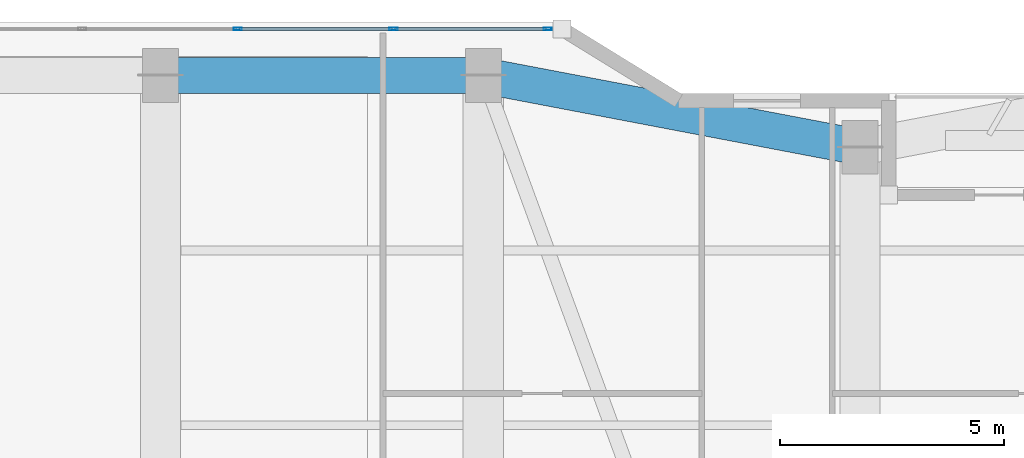
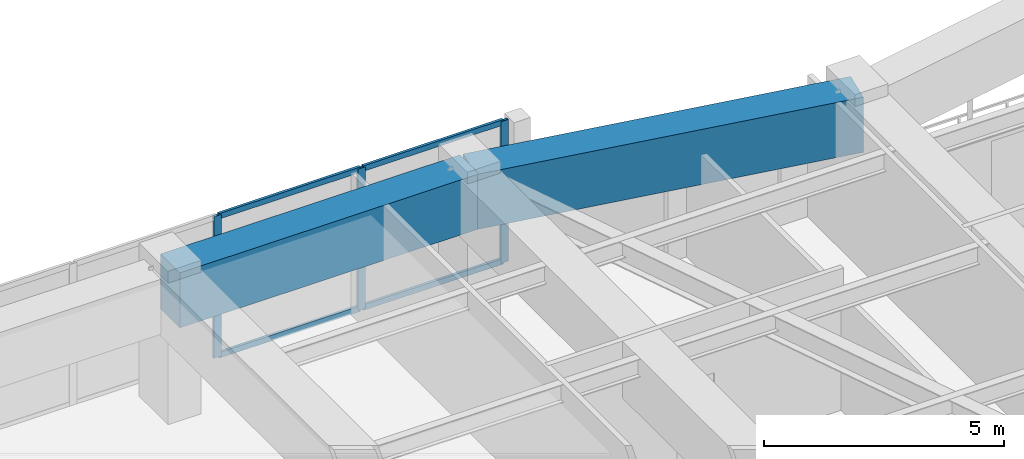
# One storey, part 14 of 25: 7 members, 2 beams, 1 element without a shape of its own.
"""IFC4 building model written with IfcOpenShell, lengths in metres."""

from ifc_helpers import new_model, si_unit, direction, frame, origin, origin_2d, place, context, subcontext, project, spatial, rectangle, hollow_rectangle, extrude, material, layer, layer_set, material_profile, profile_set, type_object, element, aggregate, save


model = new_model("IFC4")

# Units and contexts
model_context = context("Model", 3, precision=1e-05, world=origin(), true_north=direction((0.0, 1.0)))
body_context = subcontext(model_context, "Body", "Model", "MODEL_VIEW")
ifc_project = project(units=[si_unit("LENGTHUNIT", "METRE"), si_unit("AREAUNIT", "SQUARE_METRE"), si_unit("VOLUMEUNIT", "CUBIC_METRE"), si_unit("PLANEANGLEUNIT", "RADIAN"), si_unit("MASSUNIT", "GRAM", prefix="KILO")], contexts=[model_context])

# Site, building, storey
site_placement = place(None, origin())
site = spatial("IfcSite", under=ifc_project, at=site_placement, CompositionType="ELEMENT")
building_placement = place(site_placement, origin())
building = spatial("IfcBuilding", under=site, at=building_placement, Name="Kiyonajd Concourse Tower", CompositionType="ELEMENT")
storey_placement = place(building_placement, frame((0.0, 0.0, 141.60009765625)))
storey = spatial("IfcBuildingStorey", under=building, at=storey_placement, Name="L36", CompositionType="ELEMENT", Elevation=141.60009765625)

# Beams
ifc_material_1 = material(Name="Concrete C60/75", Category="concrete")
ifc_material_profile_1 = material_profile(ifc_material_1, rectangle(XDim=0.800048828125, YDim=1.39990234375, at=origin_2d()), Name="RCBM-800x1400")
ifc_profile_set_1 = profile_set([ifc_material_profile_1], Name="Concrete C60/75")
beam_type = type_object("IfcBeamType", Name="BM-XFER-RC", PredefinedType="BEAM", material=ifc_profile_set_1)
beam_1_placement = place(storey_placement, frame((48.0, 59.60009765625, 2.89990234375), z_axis=(-0.982341315253, 0.187097675953, 0.0), x_axis=(-0.187097675953, -0.982341315253, 0.0)))
element("IfcBeam", 1, at=beam_1_placement, inside=storey, type_object=beam_type, Name="L36 Perimeter Bundled Tube Spandrel", PredefinedType="BEAM", context=body_context, shape_type="SweptSolid", body=[
    extrude(rectangle(XDim=0.800048828125, YDim=1.39990234375, at=origin_2d()), origin(), (0.0, 0.0, 1.0), 8.55078125),
])
beam_2_placement = place(storey_placement, frame((39.60009765625, 61.199951171875, 2.89990234375), z_axis=(-1.0, 0.0, 0.0), x_axis=(0.0, -1.0, 0.0)))
element("IfcBeam", 2, at=beam_2_placement, inside=storey, type_object=beam_type, Name="L36 Perimeter Bundled Tube Spandrel", PredefinedType="BEAM", context=body_context, shape_type="SweptSolid", body=[
    extrude(rectangle(XDim=0.800048828125, YDim=1.39990234375, at=origin_2d()), origin(), (0.0, 0.0, 1.0), 7.2001953125),
])

# Curtain wall, members
ifc_material_2 = material(Name="Thermally Broken Anodised Aluminium", Category="aluminium")
ifc_layer = layer(ifc_material_2, 0.179931640625)
ifc_layer_set = layer_set([ifc_layer], Name="Thermally Broken Anodised Aluminium")
curtain_wall_type = type_object("IfcCurtainWallType", Name="CW-SYS-03", PredefinedType="NOTDEFINED", material=ifc_layer_set)
curtain_wall_placement = place(storey_placement, origin())
curtain_wall = element("IfcCurtainWall", 3, at=curtain_wall_placement, inside=storey, type_object=curtain_wall_type, Name="L36 Unitised Curtain Wall CW3", PredefinedType="NOTDEFINED")
ifc_material_profile_2 = material_profile(ifc_material_2, hollow_rectangle(XDim=0.06494140625, YDim=0.179931640625, WallThickness=0.00390625, at=origin_2d()), Name="MULL-65x180")
ifc_profile_set_2 = profile_set([ifc_material_profile_2], Name="Thermally Broken Anodised Aluminium")
member_type_1 = type_object("IfcMemberType", Name="MB-CW-MULL1", PredefinedType="MULLION", material=ifc_profile_set_2)
member_1_placement = place(storey_placement, frame((34.123291015625, 62.239990234375, 0.0), z_axis=(0.0, 0.0, 1.0), x_axis=(0.0, 1.0, 0.0)))
member_1 = element("IfcMember", 4, at=member_1_placement, type_object=member_type_1, Name="CW3 mullion 4", PredefinedType="MULLION", context=body_context, shape_type="SweptSolid", body=[
    extrude(hollow_rectangle(XDim=0.06494140625, YDim=0.179931640625, WallThickness=0.00390625, at=origin_2d()), origin(), (0.0, 0.0, 1.0), 3.599853515625),
])
member_2_placement = place(storey_placement, frame((37.593994140625, 62.239990234375, 0.0), z_axis=(0.0, 0.0, 1.0), x_axis=(0.0, 1.0, 0.0)))
member_2 = element("IfcMember", 5, at=member_2_placement, type_object=member_type_1, Name="CW3 mullion 5", PredefinedType="MULLION", context=body_context, shape_type="SweptSolid", body=[
    extrude(hollow_rectangle(XDim=0.06494140625, YDim=0.179931640625, WallThickness=0.00390625, at=origin_2d()), origin(), (0.0, 0.0, 1.0), 3.599853515625),
])
member_3_placement = place(storey_placement, frame((41.0322265625, 62.239990234375, 0.0), z_axis=(0.0, 0.0, 1.0), x_axis=(0.0, 1.0, 0.0)))
member_3 = element("IfcMember", 6, at=member_3_placement, type_object=member_type_1, Name="CW3 mullion 6", PredefinedType="MULLION", context=body_context, shape_type="SweptSolid", body=[
    extrude(hollow_rectangle(XDim=0.06494140625, YDim=0.179931640625, WallThickness=0.00390625, at=origin_2d()), origin(), (0.0, 0.0, 1.0), 3.599853515625),
])
ifc_material_profile_3 = material_profile(ifc_material_2, hollow_rectangle(XDim=0.06494140625, YDim=0.139892578125, WallThickness=0.00390625, at=origin_2d()), Name="TRAN-65x140")
ifc_profile_set_3 = profile_set([ifc_material_profile_3], Name="Thermally Broken Anodised Aluminium")
member_type_2 = type_object("IfcMemberType", Name="MB-CW-TRAN1", PredefinedType="USERDEFINED", material=ifc_profile_set_3)
member_4_placement = place(storey_placement, frame((34.15576171875, 62.239990234375, 0.032470703125), z_axis=(1.0, 0.0, 0.0), x_axis=(0.0, 1.0, 0.0)))
member_4 = element("IfcMember", 7, at=member_4_placement, type_object=member_type_2, Name="CW3 transom 4.1", ObjectType="TRANSOM", PredefinedType="USERDEFINED", context=body_context, shape_type="SweptSolid", body=[
    extrude(hollow_rectangle(XDim=0.06494140625, YDim=0.139892578125, WallThickness=0.00390625, at=origin_2d()), origin(), (0.0, 0.0, 1.0), 3.40576171875),
])
member_5_placement = place(storey_placement, frame((34.15576171875, 62.239990234375, 3.5673828125), z_axis=(1.0, 0.0, 0.0), x_axis=(0.0, 1.0, 0.0)))
member_5 = element("IfcMember", 8, at=member_5_placement, type_object=member_type_2, Name="CW3 transom 4.2", ObjectType="TRANSOM", PredefinedType="USERDEFINED", context=body_context, shape_type="SweptSolid", body=[
    extrude(hollow_rectangle(XDim=0.06494140625, YDim=0.139892578125, WallThickness=0.00390625, at=origin_2d()), origin(), (0.0, 0.0, 1.0), 3.40576171875),
])
member_6_placement = place(storey_placement, frame((37.62646484375, 62.239990234375, 0.032470703125), z_axis=(1.0, 0.0, 0.0), x_axis=(0.0, 1.0, 0.0)))
member_6 = element("IfcMember", 9, at=member_6_placement, type_object=member_type_2, Name="CW3 transom 5.1", ObjectType="TRANSOM", PredefinedType="USERDEFINED", context=body_context, shape_type="SweptSolid", body=[
    extrude(hollow_rectangle(XDim=0.06494140625, YDim=0.139892578125, WallThickness=0.00390625, at=origin_2d()), origin(), (0.0, 0.0, 1.0), 3.373291015625),
])
member_7_placement = place(storey_placement, frame((37.62646484375, 62.239990234375, 3.5673828125), z_axis=(1.0, 0.0, 0.0), x_axis=(0.0, 1.0, 0.0)))
member_7 = element("IfcMember", 10, at=member_7_placement, type_object=member_type_2, Name="CW3 transom 5.2", ObjectType="TRANSOM", PredefinedType="USERDEFINED", context=body_context, shape_type="SweptSolid", body=[
    extrude(hollow_rectangle(XDim=0.06494140625, YDim=0.139892578125, WallThickness=0.00390625, at=origin_2d()), origin(), (0.0, 0.0, 1.0), 3.373291015625),
])
aggregate(curtain_wall, [member_1, member_2, member_3, member_4, member_5, member_6, member_7])

save(model, "model.ifc")
